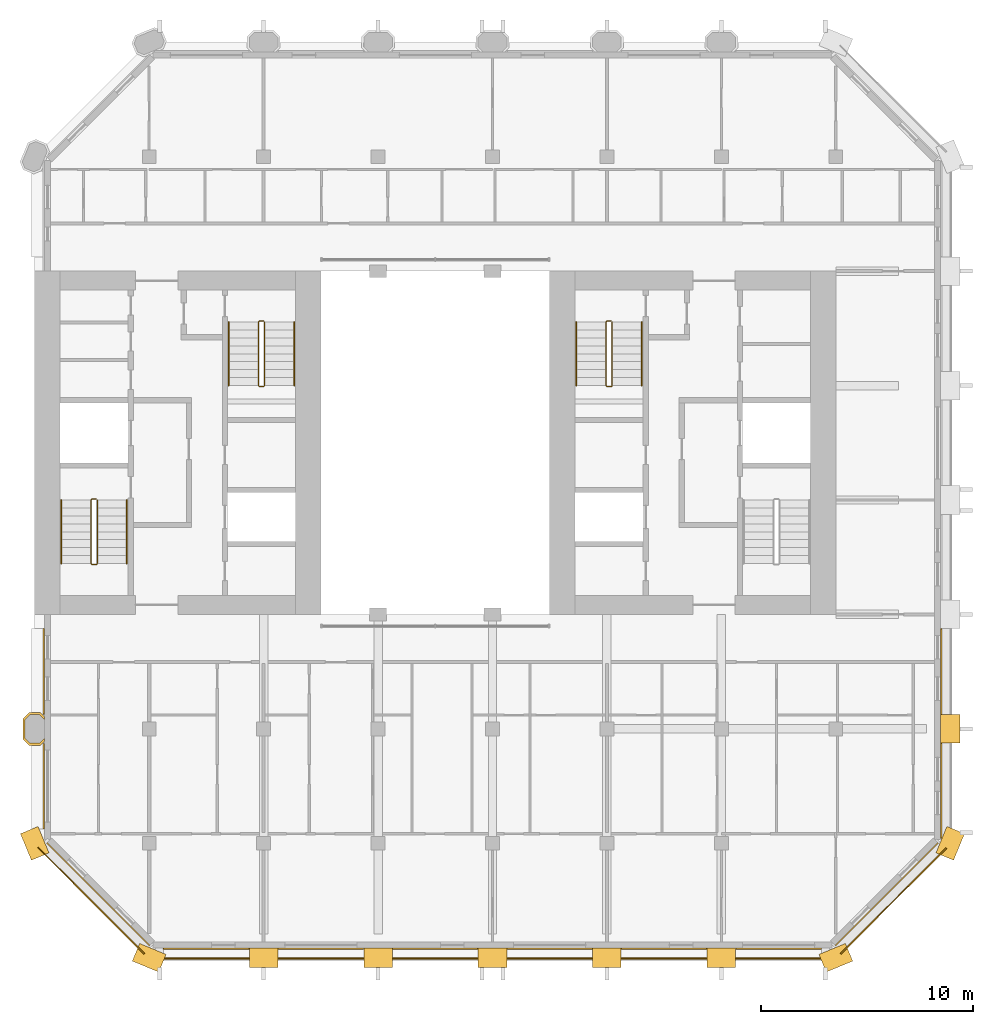
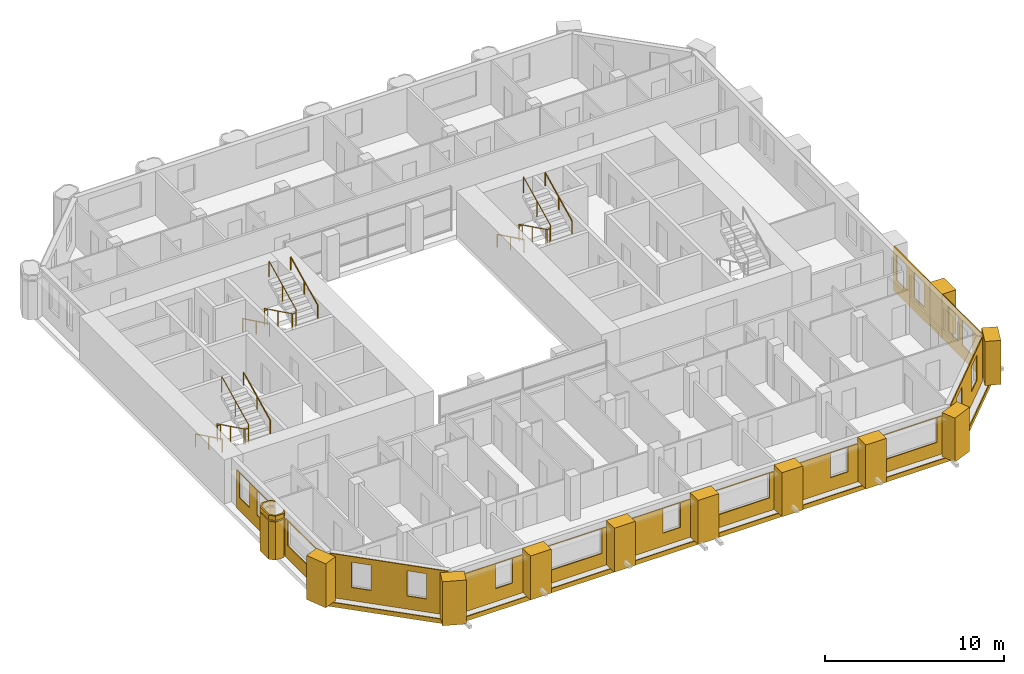
# One storey, part 13 of 14: 27 coverings, 9 railings.
"""IFC4 building model written with IfcOpenShell, lengths in metres."""

from ifc_helpers import new_model, si_unit, direction, frame, frame_2d, origin, origin_2d, place, context, subcontext, project, spatial, polyline, rectangle, circle, outline, extrude, material, layer, layer_set, type_object, element, save


model = new_model("IFC4")

# Units and contexts
model_context = context("Model", 3, precision=1e-05, world=origin(), true_north=direction((0.0, 1.0)))
body_context = subcontext(model_context, "Body", "Model", "MODEL_VIEW")
ifc_project = project(units=[si_unit("LENGTHUNIT", "METRE"), si_unit("AREAUNIT", "SQUARE_METRE"), si_unit("VOLUMEUNIT", "CUBIC_METRE"), si_unit("PLANEANGLEUNIT", "RADIAN"), si_unit("MASSUNIT", "GRAM", prefix="KILO")], contexts=[model_context])

# Site, building, storey
site_placement = place(None, origin())
site = spatial("IfcSite", under=ifc_project, at=site_placement, CompositionType="ELEMENT")
building_placement = place(site_placement, origin())
building = spatial("IfcBuilding", under=site, at=building_placement, Name="Tabaq Tower and Sports Hall", CompositionType="ELEMENT")
storey_placement = place(building_placement, frame((0.0, 0.0, 281.800048828125)))
storey = spatial("IfcBuildingStorey", under=building, at=storey_placement, Name="L69", CompositionType="ELEMENT", Elevation=281.800048828125)

# Coverings
ifc_material_1 = material(Name="Precast concrete C60/75", Category="concrete")
ifc_layer_1 = layer(ifc_material_1, 0.10009765625)
ifc_layer_set_1 = layer_set([ifc_layer_1], Name="Column cladding 100")
covering_type_1 = type_object("IfcCoveringType", Name="Column cladding 100", PredefinedType="CLADDING", material=ifc_layer_set_1)
covering_1_placement = place(storey_placement, origin())
element("IfcCovering", 1, at=covering_1_placement, inside=storey, type_object=covering_type_1, Name="Column cladding L69 PC-2C-R1", PredefinedType="CLADDING", context=body_context, shape_type="SweptSolid", body=[
    extrude(outline(polyline([(5.1337890625, 10.025390625), (4.850341796875, 10.30859375), (4.850341796875, 11.291259765625), (5.1337890625, 11.57470703125), (5.666259765625, 11.57470703125), (5.849609375, 11.391357421875), (5.849609375, 11.250732421875), (5.625244140625, 11.475341796875), (5.1748046875, 11.475341796875), (4.94970703125, 11.250244140625), (4.94970703125, 10.349853515625), (5.1748046875, 10.124755859375), (5.625244140625, 10.124755859375), (5.849609375, 10.349365234375), (5.849609375, 10.208740234375), (5.666259765625, 10.025390625), (5.1337890625, 10.025390625)])), origin(), (0.0, 0.0, 1.0), 2.599853515625),
])
covering_2_placement = place(storey_placement, frame((0.0, 0.0, 2.699951171875)))
element("IfcCovering", 2, at=covering_2_placement, inside=storey, type_object=covering_type_1, Name="Column cladding L69 PC-2C-R1 2", PredefinedType="CLADDING", context=body_context, shape_type="SweptSolid", body=[
    extrude(outline(polyline([(5.1337890625, 10.025390625), (4.850341796875, 10.30859375), (4.850341796875, 11.291259765625), (5.1337890625, 11.57470703125), (5.666259765625, 11.57470703125), (5.849609375, 11.391357421875), (5.849609375, 11.250732421875), (5.625244140625, 11.475341796875), (5.1748046875, 11.475341796875), (4.94970703125, 11.250244140625), (4.94970703125, 10.349853515625), (5.1748046875, 10.124755859375), (5.625244140625, 10.124755859375), (5.849609375, 10.349365234375), (5.849609375, 10.208740234375), (5.666259765625, 10.025390625), (5.1337890625, 10.025390625)])), origin(), (0.0, 0.0, 1.0), 0.300048828125),
])
ifc_material_2 = material(Name="Precast concrete C60/75", Category="concrete")
ifc_layer_2 = layer(ifc_material_2, 0.06005859375)
ifc_layer_set_2 = layer_set([ifc_layer_2], Name="Edge beam cladding 60")
covering_type_2 = type_object("IfcCoveringType", Name="Edge beam cladding 60", PredefinedType="CLADDING", material=ifc_layer_set_2)
covering_3_placement = place(storey_placement, frame((11.0986328125, -0.030029296875, -0.300048828125), z_axis=(0.0, 0.0, 1.0), x_axis=(1.0, 0.0, 0.0)))
element("IfcCovering", 3, at=covering_3_placement, inside=storey, type_object=covering_type_2, Name="Edge beam cladding L69 1", PredefinedType="CLADDING", context=body_context, shape_type="SweptSolid", body=[
    extrude(rectangle(XDim=31.802734375, YDim=0.06005859375, at=frame_2d((15.9013671875, 0.0))), origin(), (0.0, 0.0, 1.0), 0.300048828125),
])
covering_4_placement = place(storey_placement, frame((43.432373046875, 0.18994140625, -0.300048828125), z_axis=(0.0, 0.0, 1.0), x_axis=(0.707106781187, 0.707106781187, 0.0)))
element("IfcCovering", 4, at=covering_4_placement, inside=storey, type_object=covering_type_2, Name="Edge beam cladding L69 2", PredefinedType="CLADDING", context=body_context, shape_type="SweptSolid", body=[
    extrude(rectangle(XDim=7.03955078125, YDim=0.06005859375, at=frame_2d((3.519775390625, 0.0))), origin(), (0.0, 0.0, 1.0), 0.300048828125),
])
covering_5_placement = place(storey_placement, frame((5.5556640625, 5.201904296875, -0.300048828125), z_axis=(0.0, 0.0, 1.0), x_axis=(0.707106781187, -0.707106781187, 0.0)))
element("IfcCovering", 5, at=covering_5_placement, inside=storey, type_object=covering_type_2, Name="Edge beam cladding L69 5", PredefinedType="CLADDING", context=body_context, shape_type="SweptSolid", body=[
    extrude(rectangle(XDim=7.087890625, YDim=0.06005859375, at=frame_2d((3.5439453125, 0.0))), origin(), (0.0, 0.0, 1.0), 0.300048828125),
])
ifc_material_3 = material(Name="White precast concrete C60/75", Category="concrete")
covering_type_3 = type_object("IfcCoveringType", Name="Pier cladding hung 1350x900", PredefinedType="CLADDING", material=ifc_material_3)
for number, where, z_axis, x_axis, name in (
    (6, (5.1416015625, 6.023681640625, 0.0), (0.0, 0.0, 1.0), (0.382649923473, -0.923893411637, 0.0), "Hung pier cladding 1/1"),
    (7, (10.17626953125, 0.25830078125, 0.0), (0.0, 0.0, 1.0), (0.923893411637, -0.382649923473, 0.0), "Hung pier cladding 2/0"),
    (8, (15.52490234375, 0.0, 0.0), (0.0, 0.0, 1.0), (1.0, 0.0, 0.0), "Hung pier cladding 3/0"),
):
    element("IfcCovering", number, at=place(storey_placement, frame(where, z_axis=z_axis, x_axis=x_axis)), inside=storey, type_object=covering_type_3, Name=name, PredefinedType="CLADDING", context=body_context, shape_type="SweptSolid", body=[
        extrude(rectangle(XDim=1.35009765625, YDim=0.89990234375, at=frame_2d((0.675048828125, 0.0))), origin(), (0.0, 0.0, 1.0), 3.0),
    ])
covering_6_placement = place(storey_placement, frame((20.925048828125, 0.0, 0.0), z_axis=(0.0, 0.0, 1.0), x_axis=(1.0, 0.0, 0.0)))
element("IfcCovering", 9, at=covering_6_placement, inside=storey, type_object=covering_type_3, Name="Hung pier cladding 4/0", PredefinedType="CLADDING", context=body_context, shape_type="SweptSolid", body=[
    extrude(rectangle(XDim=1.349853515625, YDim=0.89990234375, at=frame_2d((0.6748046875, 0.0))), origin(), (0.0, 0.0, 1.0), 3.0),
])
covering_7_placement = place(storey_placement, frame((26.324951171875, 0.0, 0.0), z_axis=(0.0, 0.0, 1.0), x_axis=(1.0, 0.0, 0.0)))
element("IfcCovering", 10, at=covering_7_placement, inside=storey, type_object=covering_type_3, Name="Hung pier cladding 5/0", PredefinedType="CLADDING", context=body_context, shape_type="SweptSolid", body=[
    extrude(rectangle(XDim=1.35009765625, YDim=0.89990234375, at=frame_2d((0.675048828125, 0.0))), origin(), (0.0, 0.0, 1.0), 3.0),
])
covering_8_placement = place(storey_placement, frame((31.72509765625, 0.0, 0.0), z_axis=(0.0, 0.0, 1.0), x_axis=(1.0, 0.0, 0.0)))
element("IfcCovering", 11, at=covering_8_placement, inside=storey, type_object=covering_type_3, Name="Hung pier cladding 6/0", PredefinedType="CLADDING", context=body_context, shape_type="SweptSolid", body=[
    extrude(rectangle(XDim=1.349853515625, YDim=0.89990234375, at=frame_2d((0.6748046875, 0.0))), origin(), (0.0, 0.0, 1.0), 3.0),
])
for number, where, z_axis, x_axis, name in (
    (12, (37.125, 0.0, 0.0), (0.0, 0.0, 1.0), (1.0, 0.0, 0.0), "Hung pier cladding 7/0"),
    (13, (42.576416015625, -0.25830078125, 0.0), (0.0, 0.0, 1.0), (0.923893411637, 0.382649923473, 0.0), "Hung pier cladding 8/0"),
    (14, (48.341796875, 4.7763671875, 0.0), (0.0, 0.0, 1.0), (0.382649923473, 0.923893411637, 0.0), "Hung pier cladding 9/1"),
    (15, (48.60009765625, 10.125, 0.0), (0.0, 0.0, 1.0), (0.0, 1.0, 0.0), "Hung pier cladding 9/2"),
):
    element("IfcCovering", number, at=place(storey_placement, frame(where, z_axis=z_axis, x_axis=x_axis)), inside=storey, type_object=covering_type_3, Name=name, PredefinedType="CLADDING", context=body_context, shape_type="SweptSolid", body=[
        extrude(rectangle(XDim=1.35009765625, YDim=0.89990234375, at=frame_2d((0.675048828125, 0.0))), origin(), (0.0, 0.0, 1.0), 3.0),
    ])

# Railings
ifc_material_4 = material(Name="Stainless steel", Category="steel")
railing_type_1 = type_object("IfcRailingType", Name="Stair guard", PredefinedType="GUARDRAIL", material=ifc_material_4)
railing_1_placement = place(storey_placement, frame((8.300048828125, 21.64990234375, 0.0)))
element("IfcRailing", 16, at=railing_1_placement, inside=storey, type_object=railing_type_1, Name="L69 ST1 stair guard 1", PredefinedType="GUARDRAIL", context=body_context, shape_type="SweptSolid", body=[
    extrude(circle(Radius=0.02392578125, at=origin_2d()), frame((0.0, 0.0, 1.076171875), z_axis=(-1.0, 0.0, 0.0), x_axis=(0.0, -1.0, 0.0)), (0.0, 0.0, 1.0), 0.199951171875),
    extrude(circle(Radius=0.02392578125, at=origin_2d()), frame((-0.199951171875, 0.0, 1.076171875), z_axis=(-0.254733673405, -0.25349107012, 0.933195066962), x_axis=(0.705375805398, -0.708833529934, 0.0)), (0.0, 0.0, 1.0), 0.196533203125),
    extrude(circle(Radius=0.02392578125, at=origin_2d()), frame((-0.25, -0.0498046875, 1.25927734375), z_axis=(0.0, -0.898397823093, 0.439182594671), x_axis=(1.0, 0.0, 0.0)), (0.0, 0.0, 1.0), 3.33935546875),
    extrude(circle(Radius=0.02392578125, at=origin_2d()), frame((-0.25, -3.0498046875, 2.72607421875), z_axis=(0.707106781187, -0.707106781187, 0.0), x_axis=(0.707106781187, 0.707106781187, 0.0)), (0.0, 0.0, 1.0), 0.07080078125),
    extrude(circle(Radius=0.02392578125, at=origin_2d()), frame((-0.199951171875, -3.099853515625, 2.72607421875), z_axis=(1.0, 0.0, 0.0), x_axis=(0.0, 1.0, 0.0)), (0.0, 0.0, 1.0), 0.199951171875),
    extrude(circle(Radius=0.02392578125, at=origin_2d()), frame((0.0, -3.099853515625, 2.72607421875), z_axis=(0.254653276557, 0.254653276557, 0.932900539971), x_axis=(-0.707106781187, 0.707106781187, 0.0)), (0.0, 0.0, 1.0), 0.196533203125),
    extrude(circle(Radius=0.02392578125, at=origin_2d()), frame((0.050048828125, -3.0498046875, 2.9091796875), z_axis=(0.0, 0.898368975038, 0.439241601728), x_axis=(-1.0, 0.0, 0.0)), (0.0, 0.0, 1.0), 3.33935546875),
    extrude(circle(Radius=0.02099609375, at=origin_2d()), origin(), (0.0, 0.0, 1.0), 1.052001953125),
    extrude(circle(Radius=0.02099609375, at=origin_2d()), frame((-0.199951171875, 0.0, 0.0)), (0.0, 0.0, 1.0), 1.052001953125),
    extrude(circle(Radius=0.02099609375, at=origin_2d()), frame((-0.25, -0.0498046875, 0.183349609375)), (0.0, 0.0, 1.0), 1.052001953125),
    extrude(circle(Radius=0.02099609375, at=origin_2d()), frame((-0.25, -1.5498046875, 0.91650390625)), (0.0, 0.0, 1.0), 1.052001953125),
    extrude(circle(Radius=0.02099609375, at=origin_2d()), frame((-0.25, -3.0498046875, 1.64990234375)), (0.0, 0.0, 1.0), 1.052001953125),
    extrude(circle(Radius=0.02099609375, at=origin_2d()), frame((-0.199951171875, -3.099853515625, 1.64990234375)), (0.0, 0.0, 1.0), 1.052001953125),
    extrude(circle(Radius=0.02099609375, at=origin_2d()), frame((0.0, -3.099853515625, 1.64990234375)), (0.0, 0.0, 1.0), 1.052001953125),
    extrude(circle(Radius=0.02099609375, at=origin_2d()), frame((0.050048828125, -3.0498046875, 1.833251953125)), (0.0, 0.0, 1.0), 1.052001953125),
    extrude(circle(Radius=0.02099609375, at=origin_2d()), frame((0.050048828125, -1.5498046875, 2.566650390625)), (0.0, 0.0, 1.0), 1.052001953125),
    extrude(circle(Radius=0.02099609375, at=origin_2d()), frame((0.050048828125, -0.0498046875, 3.300048828125)), (0.0, 0.0, 1.0), 1.052001953125),
])
railing_2_placement = place(storey_placement, frame((16.199951171875, 30.050048828125, 0.0)))
element("IfcRailing", 17, at=railing_2_placement, inside=storey, type_object=railing_type_1, Name="L69 ST2 stair guard 1", PredefinedType="GUARDRAIL", context=body_context, shape_type="SweptSolid", body=[
    extrude(circle(Radius=0.02392578125, at=origin_2d()), frame((0.0, 0.0, 1.076171875), z_axis=(-1.0, 0.0, 0.0), x_axis=(0.0, -1.0, 0.0)), (0.0, 0.0, 1.0), 0.199951171875),
    extrude(circle(Radius=0.02392578125, at=origin_2d()), frame((-0.199951171875, 0.0, 1.076171875), z_axis=(-0.254653276557, -0.254653276557, 0.932900539971), x_axis=(0.707106781187, -0.707106781187, 0.0)), (0.0, 0.0, 1.0), 0.196533203125),
    extrude(circle(Radius=0.02392578125, at=origin_2d()), frame((-0.25, -0.050048828125, 1.25927734375), z_axis=(0.0, -0.898397823093, 0.439182594671), x_axis=(1.0, 0.0, 0.0)), (0.0, 0.0, 1.0), 3.33935546875),
    extrude(circle(Radius=0.02392578125, at=origin_2d()), frame((-0.25, -3.050048828125, 2.72607421875), z_axis=(0.707106781187, -0.707106781187, 0.0), x_axis=(0.707106781187, 0.707106781187, 0.0)), (0.0, 0.0, 1.0), 0.07080078125),
    extrude(circle(Radius=0.02392578125, at=origin_2d()), frame((-0.199951171875, -3.10009765625, 2.72607421875), z_axis=(1.0, 0.0, 0.0), x_axis=(0.0, 1.0, 0.0)), (0.0, 0.0, 1.0), 0.199951171875),
    extrude(circle(Radius=0.02392578125, at=origin_2d()), frame((0.0, -3.10009765625, 2.72607421875), z_axis=(0.254653276557, 0.254653276557, 0.932900539971), x_axis=(-0.707106781187, 0.707106781187, 0.0)), (0.0, 0.0, 1.0), 0.196533203125),
    extrude(circle(Radius=0.02392578125, at=origin_2d()), frame((0.050048828125, -3.050048828125, 2.9091796875), z_axis=(0.0, 0.898368975038, 0.439241601728), x_axis=(-1.0, 0.0, 0.0)), (0.0, 0.0, 1.0), 3.33935546875),
    extrude(circle(Radius=0.02099609375, at=origin_2d()), origin(), (0.0, 0.0, 1.0), 1.052001953125),
    extrude(circle(Radius=0.02099609375, at=origin_2d()), frame((-0.199951171875, 0.0, 0.0)), (0.0, 0.0, 1.0), 1.052001953125),
    extrude(circle(Radius=0.02099609375, at=origin_2d()), frame((-0.25, -0.050048828125, 0.183349609375)), (0.0, 0.0, 1.0), 1.052001953125),
    extrude(circle(Radius=0.02099609375, at=origin_2d()), frame((-0.25, -1.550048828125, 0.91650390625)), (0.0, 0.0, 1.0), 1.052001953125),
    extrude(circle(Radius=0.02099609375, at=origin_2d()), frame((-0.25, -3.050048828125, 1.64990234375)), (0.0, 0.0, 1.0), 1.052001953125),
    extrude(circle(Radius=0.02099609375, at=origin_2d()), frame((-0.199951171875, -3.10009765625, 1.64990234375)), (0.0, 0.0, 1.0), 1.052001953125),
    extrude(circle(Radius=0.02099609375, at=origin_2d()), frame((0.0, -3.10009765625, 1.64990234375)), (0.0, 0.0, 1.0), 1.052001953125),
    extrude(circle(Radius=0.02099609375, at=origin_2d()), frame((0.050048828125, -3.050048828125, 1.833251953125)), (0.0, 0.0, 1.0), 1.052001953125),
    extrude(circle(Radius=0.02099609375, at=origin_2d()), frame((0.050048828125, -1.550048828125, 2.566650390625)), (0.0, 0.0, 1.0), 1.052001953125),
    extrude(circle(Radius=0.02099609375, at=origin_2d()), frame((0.050048828125, -0.050048828125, 3.300048828125)), (0.0, 0.0, 1.0), 1.052001953125),
])
railing_3_placement = place(storey_placement, frame((32.60009765625, 30.050048828125, 0.0)))
element("IfcRailing", 18, at=railing_3_placement, inside=storey, type_object=railing_type_1, Name="L69 ST4 stair guard 1", PredefinedType="GUARDRAIL", context=body_context, shape_type="SweptSolid", body=[
    extrude(circle(Radius=0.02392578125, at=origin_2d()), frame((0.0, 0.0, 1.076171875), z_axis=(-1.0, 0.0, 0.0), x_axis=(0.0, -1.0, 0.0)), (0.0, 0.0, 1.0), 0.2001953125),
    extrude(circle(Radius=0.02392578125, at=origin_2d()), frame((-0.2001953125, 0.0, 1.076171875), z_axis=(-0.25349107012, -0.254733673405, 0.933195066962), x_axis=(0.708833529934, -0.705375805398, 0.0)), (0.0, 0.0, 1.0), 0.196533203125),
    extrude(circle(Radius=0.02392578125, at=origin_2d()), frame((-0.25, -0.050048828125, 1.25927734375), z_axis=(0.0, -0.898397823093, 0.439182594671), x_axis=(1.0, 0.0, 0.0)), (0.0, 0.0, 1.0), 3.33935546875),
    extrude(circle(Radius=0.02392578125, at=origin_2d()), frame((-0.25, -3.050048828125, 2.72607421875), z_axis=(0.705375805398, -0.708833529934, 0.0), x_axis=(0.708833529934, 0.705375805398, 0.0)), (0.0, 0.0, 1.0), 0.070556640625),
    extrude(circle(Radius=0.02392578125, at=origin_2d()), frame((-0.2001953125, -3.10009765625, 2.72607421875), z_axis=(1.0, 0.0, 0.0), x_axis=(0.0, 1.0, 0.0)), (0.0, 0.0, 1.0), 0.2001953125),
    extrude(circle(Radius=0.02392578125, at=origin_2d()), frame((0.0, -3.10009765625, 2.72607421875), z_axis=(0.25349107012, 0.254733673405, 0.933195066962), x_axis=(-0.708833529934, 0.705375805398, 0.0)), (0.0, 0.0, 1.0), 0.196533203125),
    extrude(circle(Radius=0.02392578125, at=origin_2d()), frame((0.0498046875, -3.050048828125, 2.9091796875), z_axis=(0.0, 0.898368975038, 0.439241601728), x_axis=(-1.0, 0.0, 0.0)), (0.0, 0.0, 1.0), 3.33935546875),
    extrude(circle(Radius=0.02099609375, at=origin_2d()), origin(), (0.0, 0.0, 1.0), 1.052001953125),
    extrude(circle(Radius=0.02099609375, at=origin_2d()), frame((-0.2001953125, 0.0, 0.0)), (0.0, 0.0, 1.0), 1.052001953125),
    extrude(circle(Radius=0.02099609375, at=origin_2d()), frame((-0.25, -0.050048828125, 0.183349609375)), (0.0, 0.0, 1.0), 1.052001953125),
    extrude(circle(Radius=0.02099609375, at=origin_2d()), frame((-0.25, -1.550048828125, 0.91650390625)), (0.0, 0.0, 1.0), 1.052001953125),
    extrude(circle(Radius=0.02099609375, at=origin_2d()), frame((-0.25, -3.050048828125, 1.64990234375)), (0.0, 0.0, 1.0), 1.052001953125),
    extrude(circle(Radius=0.02099609375, at=origin_2d()), frame((-0.2001953125, -3.10009765625, 1.64990234375)), (0.0, 0.0, 1.0), 1.052001953125),
    extrude(circle(Radius=0.02099609375, at=origin_2d()), frame((0.0, -3.10009765625, 1.64990234375)), (0.0, 0.0, 1.0), 1.052001953125),
    extrude(circle(Radius=0.02099609375, at=origin_2d()), frame((0.0498046875, -3.050048828125, 1.833251953125)), (0.0, 0.0, 1.0), 1.052001953125),
    extrude(circle(Radius=0.02099609375, at=origin_2d()), frame((0.0498046875, -1.550048828125, 2.566650390625)), (0.0, 0.0, 1.0), 1.052001953125),
    extrude(circle(Radius=0.02099609375, at=origin_2d()), frame((0.0498046875, -0.050048828125, 3.300048828125)), (0.0, 0.0, 1.0), 1.052001953125),
])
ifc_material_5 = material(Name="Stainless steel", Category="steel")
railing_type_2 = type_object("IfcRailingType", Name="Stair handrail", PredefinedType="HANDRAIL", material=ifc_material_5)
railing_4_placement = place(storey_placement, frame((6.64990234375, 21.60009765625, 0.183349609375)))
element("IfcRailing", 19, at=railing_4_placement, inside=storey, type_object=railing_type_2, Name="L69 ST1 stair handrail 1", PredefinedType="HANDRAIL", context=body_context, shape_type="SweptSolid", body=[
    extrude(circle(Radius=0.02392578125, at=origin_2d()), frame((0.0, 0.0, 0.8759765625), z_axis=(0.0, -0.898397823093, 0.439182594671), x_axis=(1.0, 0.0, 0.0)), (0.0, 0.0, 1.0), 3.33935546875),
    extrude(circle(Radius=0.02099609375, at=origin_2d()), origin(), (0.0, 0.0, 1.0), 0.851806640625),
    extrude(circle(Radius=0.02099609375, at=origin_2d()), frame((0.0, -1.5, 0.7333984375)), (0.0, 0.0, 1.0), 0.851806640625),
    extrude(circle(Radius=0.02099609375, at=origin_2d()), frame((0.0, -3.0, 1.466552734375)), (0.0, 0.0, 1.0), 0.851806640625),
])
railing_5_placement = place(storey_placement, frame((9.75, 18.60009765625, 1.833251953125)))
element("IfcRailing", 20, at=railing_5_placement, inside=storey, type_object=railing_type_2, Name="L69 ST1 stair handrail 2", PredefinedType="HANDRAIL", context=body_context, shape_type="SweptSolid", body=[
    extrude(circle(Radius=0.02392578125, at=origin_2d()), frame((0.0, 0.0, 0.8759765625), z_axis=(0.0, 0.898368975038, 0.439241601728), x_axis=(-1.0, 0.0, 0.0)), (0.0, 0.0, 1.0), 3.33935546875),
    extrude(circle(Radius=0.02099609375, at=origin_2d()), origin(), (0.0, 0.0, 1.0), 0.851806640625),
    extrude(circle(Radius=0.02099609375, at=origin_2d()), frame((0.0, 1.5, 0.7333984375)), (0.0, 0.0, 1.0), 0.851806640625),
    extrude(circle(Radius=0.02099609375, at=origin_2d()), frame((0.0, 3.0, 1.466796875)), (0.0, 0.0, 1.0), 0.851806640625),
])
railing_6_placement = place(storey_placement, frame((14.550048828125, 30.0, 0.183349609375)))
element("IfcRailing", 21, at=railing_6_placement, inside=storey, type_object=railing_type_2, Name="L69 ST2 stair handrail 1", PredefinedType="HANDRAIL", context=body_context, shape_type="SweptSolid", body=[
    extrude(circle(Radius=0.02392578125, at=origin_2d()), frame((0.0, 0.0, 0.8759765625), z_axis=(0.0, -0.898397823093, 0.439182594671), x_axis=(1.0, 0.0, 0.0)), (0.0, 0.0, 1.0), 3.33935546875),
    extrude(circle(Radius=0.02099609375, at=origin_2d()), origin(), (0.0, 0.0, 1.0), 0.851806640625),
    extrude(circle(Radius=0.02099609375, at=origin_2d()), frame((0.0, -1.5, 0.7333984375)), (0.0, 0.0, 1.0), 0.851806640625),
    extrude(circle(Radius=0.02099609375, at=origin_2d()), frame((0.0, -3.0, 1.466552734375)), (0.0, 0.0, 1.0), 0.851806640625),
])
railing_7_placement = place(storey_placement, frame((17.64990234375, 27.0, 1.833251953125)))
element("IfcRailing", 22, at=railing_7_placement, inside=storey, type_object=railing_type_2, Name="L69 ST2 stair handrail 2", PredefinedType="HANDRAIL", context=body_context, shape_type="SweptSolid", body=[
    extrude(circle(Radius=0.02392578125, at=origin_2d()), frame((0.0, 0.0, 0.8759765625), z_axis=(0.0, 0.898368975038, 0.439241601728), x_axis=(-1.0, 0.0, 0.0)), (0.0, 0.0, 1.0), 3.33935546875),
    extrude(circle(Radius=0.02099609375, at=origin_2d()), origin(), (0.0, 0.0, 1.0), 0.851806640625),
    extrude(circle(Radius=0.02099609375, at=origin_2d()), frame((0.0, 1.5, 0.7333984375)), (0.0, 0.0, 1.0), 0.851806640625),
    extrude(circle(Radius=0.02099609375, at=origin_2d()), frame((0.0, 3.0, 1.466796875)), (0.0, 0.0, 1.0), 0.851806640625),
])
railing_8_placement = place(storey_placement, frame((30.949951171875, 30.0, 0.183349609375)))
element("IfcRailing", 23, at=railing_8_placement, inside=storey, type_object=railing_type_2, Name="L69 ST4 stair handrail 1", PredefinedType="HANDRAIL", context=body_context, shape_type="SweptSolid", body=[
    extrude(circle(Radius=0.02392578125, at=origin_2d()), frame((0.0, 0.0, 0.8759765625), z_axis=(0.0, -0.898397823093, 0.439182594671), x_axis=(1.0, 0.0, 0.0)), (0.0, 0.0, 1.0), 3.33935546875),
    extrude(circle(Radius=0.02099609375, at=origin_2d()), origin(), (0.0, 0.0, 1.0), 0.851806640625),
    extrude(circle(Radius=0.02099609375, at=origin_2d()), frame((0.0, -1.5, 0.7333984375)), (0.0, 0.0, 1.0), 0.851806640625),
    extrude(circle(Radius=0.02099609375, at=origin_2d()), frame((0.0, -3.0, 1.466552734375)), (0.0, 0.0, 1.0), 0.851806640625),
])
railing_9_placement = place(storey_placement, frame((34.050048828125, 27.0, 1.833251953125)))
element("IfcRailing", 24, at=railing_9_placement, inside=storey, type_object=railing_type_2, Name="L69 ST4 stair handrail 2", PredefinedType="HANDRAIL", context=body_context, shape_type="SweptSolid", body=[
    extrude(circle(Radius=0.02392578125, at=origin_2d()), frame((0.0, 0.0, 0.8759765625), z_axis=(0.0, 0.898368975038, 0.439241601728), x_axis=(-1.0, 0.0, 0.0)), (0.0, 0.0, 1.0), 3.33935546875),
    extrude(circle(Radius=0.02099609375, at=origin_2d()), origin(), (0.0, 0.0, 1.0), 0.851806640625),
    extrude(circle(Radius=0.02099609375, at=origin_2d()), frame((0.0, 1.5, 0.7333984375)), (0.0, 0.0, 1.0), 0.851806640625),
    extrude(circle(Radius=0.02099609375, at=origin_2d()), frame((0.0, 3.0, 1.466796875)), (0.0, 0.0, 1.0), 0.851806640625),
])

# Coverings
ifc_material_6 = material(Name="Precast concrete C60/75", Category="concrete")
ifc_layer_3 = layer(ifc_material_6, 0.06005859375)
ifc_layer_set_3 = layer_set([ifc_layer_3], Name="White precast cladding panel 60 C60/75")
covering_type_4 = type_object("IfcCoveringType", Name="White precast cladding panel 60 C60/75", PredefinedType="CLADDING", material=ifc_layer_set_3)
covering_9_placement = place(storey_placement, frame((11.465087890625, 0.419921875, 0.0), z_axis=(0.0, 0.0, 1.0), x_axis=(1.0, 0.0, 0.0)))
element("IfcCovering", 25, at=covering_9_placement, inside=storey, type_object=covering_type_4, Name="White precast cladding panel L69 wall00", PredefinedType="CLADDING", context=body_context, shape_type="SweptSolid", body=[
    extrude(outline(polyline([(0.0, 0.0), (4.0498046875, 0.0), (4.0498046875, 2.58984375), (0.0, 2.58984375), (0.0, 0.0)]), holes=[polyline([(3.39501953125, 0.889892578125), (2.27490234375, 0.889892578125), (2.27490234375, 2.56005859375), (3.39501953125, 2.56005859375), (3.39501953125, 0.889892578125)])]), frame((0.0, 0.030029296875, 0.0), z_axis=(0.0, -1.0, 0.0), x_axis=(1.0, 0.0, 0.0)), (0.0, 0.0, 1.0), 0.06005859375),
])
covering_10_placement = place(storey_placement, frame((16.885009765625, 0.419921875, 0.0), z_axis=(0.0, 0.0, 1.0), x_axis=(1.0, 0.0, 0.0)))
element("IfcCovering", 26, at=covering_10_placement, inside=storey, type_object=covering_type_4, Name="White precast cladding panel L69 wall00 2", PredefinedType="CLADDING", context=body_context, shape_type="SweptSolid", body=[
    extrude(outline(polyline([(0.0, 0.0), (4.030029296875, 0.0), (4.030029296875, 2.58984375), (0.0, 2.58984375), (0.0, 0.0)]), holes=[polyline([(3.72509765625, 0.889892578125), (0.304931640625, 0.889892578125), (0.304931640625, 2.56005859375), (3.72509765625, 2.56005859375), (3.72509765625, 0.889892578125)])]), frame((0.0, 0.030029296875, 0.0), z_axis=(0.0, -1.0, 0.0), x_axis=(1.0, 0.0, 0.0)), (0.0, 0.0, 1.0), 0.06005859375),
])
covering_11_placement = place(storey_placement, frame((22.284912109375, 0.419921875, 0.0), z_axis=(0.0, 0.0, 1.0), x_axis=(1.0, 0.0, 0.0)))
element("IfcCovering", 27, at=covering_11_placement, inside=storey, type_object=covering_type_4, Name="White precast cladding panel L69 wall00 3", PredefinedType="CLADDING", context=body_context, shape_type="SweptSolid", body=[
    extrude(outline(polyline([(0.0, 0.0), (4.030029296875, 0.0), (4.030029296875, 2.58984375), (0.0, 2.58984375), (0.0, 0.0)]), holes=[polyline([(3.375, 0.889892578125), (2.2548828125, 0.889892578125), (2.2548828125, 2.56005859375), (3.375, 2.56005859375), (3.375, 0.889892578125)])]), frame((0.0, 0.030029296875, 0.0), z_axis=(0.0, -1.0, 0.0), x_axis=(1.0, 0.0, 0.0)), (0.0, 0.0, 1.0), 0.06005859375),
])
covering_12_placement = place(storey_placement, frame((27.68505859375, 0.419921875, 0.0), z_axis=(0.0, 0.0, 1.0), x_axis=(1.0, 0.0, 0.0)))
element("IfcCovering", 28, at=covering_12_placement, inside=storey, type_object=covering_type_4, Name="White precast cladding panel L69 wall00 4", PredefinedType="CLADDING", context=body_context, shape_type="SweptSolid", body=[
    extrude(outline(polyline([(0.0, 0.0), (4.030029296875, 0.0), (4.030029296875, 2.58984375), (0.0, 2.58984375), (0.0, 0.0)]), holes=[polyline([(3.72509765625, 0.889892578125), (0.304931640625, 0.889892578125), (0.304931640625, 2.56005859375), (3.72509765625, 2.56005859375), (3.72509765625, 0.889892578125)])]), frame((0.0, 0.030029296875, 0.0), z_axis=(0.0, -1.0, 0.0), x_axis=(1.0, 0.0, 0.0)), (0.0, 0.0, 1.0), 0.06005859375),
])
covering_13_placement = place(storey_placement, frame((33.0849609375, 0.419921875, 0.0), z_axis=(0.0, 0.0, 1.0), x_axis=(1.0, 0.0, 0.0)))
element("IfcCovering", 29, at=covering_13_placement, inside=storey, type_object=covering_type_4, Name="White precast cladding panel L69 wall00 5", PredefinedType="CLADDING", context=body_context, shape_type="SweptSolid", body=[
    extrude(outline(polyline([(0.0, 0.0), (4.030029296875, 0.0), (4.030029296875, 2.58984375), (0.0, 2.58984375), (0.0, 0.0)]), holes=[polyline([(3.375, 0.889892578125), (2.2548828125, 0.889892578125), (2.2548828125, 2.56005859375), (3.375, 2.56005859375), (3.375, 0.889892578125)])]), frame((0.0, 0.030029296875, 0.0), z_axis=(0.0, -1.0, 0.0), x_axis=(1.0, 0.0, 0.0)), (0.0, 0.0, 1.0), 0.06005859375),
])
covering_14_placement = place(storey_placement, frame((38.485107421875, 0.419921875, 0.0), z_axis=(0.0, 0.0, 1.0), x_axis=(1.0, 0.0, 0.0)))
element("IfcCovering", 30, at=covering_14_placement, inside=storey, type_object=covering_type_4, Name="White precast cladding panel L69 wall00 6", PredefinedType="CLADDING", context=body_context, shape_type="SweptSolid", body=[
    extrude(outline(polyline([(0.0, 0.0), (4.0498046875, 0.0), (4.0498046875, 2.58984375), (0.0, 2.58984375), (0.0, 0.0)]), holes=[polyline([(3.72509765625, 0.889892578125), (0.304931640625, 0.889892578125), (0.304931640625, 2.56005859375), (3.72509765625, 2.56005859375), (3.72509765625, 0.889892578125)])]), frame((0.0, 0.030029296875, 0.0), z_axis=(0.0, -1.0, 0.0), x_axis=(1.0, 0.0, 0.0)), (0.0, 0.0, 1.0), 0.06005859375),
])
covering_15_placement = place(storey_placement, frame((43.177734375, 0.57177734375, 0.0), z_axis=(0.0, 0.0, 1.0), x_axis=(0.707106781187, 0.707106781187, 0.0)))
element("IfcCovering", 31, at=covering_15_placement, inside=storey, type_object=covering_type_4, Name="White precast cladding panel L69 wall01", PredefinedType="CLADDING", context=body_context, shape_type="SweptSolid", body=[
    extrude(outline(polyline([(0.0, 0.0), (6.85986328125, 0.0), (6.85986328125, 3.0), (0.0, 3.0), (0.0, 0.0)]), holes=[polyline([(1.269775390625, 2.60986328125), (2.389892578125, 2.60986328125), (2.389892578125, 0.889892578125), (1.269775390625, 0.889892578125), (1.269775390625, 2.60986328125)]), polyline([(4.4697265625, 2.60986328125), (5.58984375, 2.60986328125), (5.58984375, 0.889892578125), (4.4697265625, 0.889892578125), (4.4697265625, 2.60986328125)])]), frame((0.0, 0.030029296875, 0.0), z_axis=(0.0, -1.0, 0.0), x_axis=(1.0, 0.0, 0.0)), (0.0, 0.0, 1.0), 0.06005859375),
])
covering_16_placement = place(storey_placement, frame((48.179931640625, 5.64306640625, 0.0), z_axis=(0.0, 0.0, 1.0), x_axis=(0.0, 1.0, 0.0)))
element("IfcCovering", 32, at=covering_16_placement, inside=storey, type_object=covering_type_4, Name="White precast cladding panel L69 wall02", PredefinedType="CLADDING", context=body_context, shape_type="SweptSolid", body=[
    extrude(outline(polyline([(0.0, 0.0), (4.471923828125, 0.0), (4.471923828125, 3.0), (0.0, 3.0), (0.0, 0.0)]), holes=[polyline([(1.096923828125, 2.60986328125), (2.216796875, 2.60986328125), (2.216796875, 0.889892578125), (1.096923828125, 0.889892578125), (1.096923828125, 2.60986328125)]), polyline([(2.69677734375, 2.60986328125), (3.81689453125, 2.60986328125), (3.81689453125, 0.889892578125), (2.69677734375, 0.889892578125), (2.69677734375, 2.60986328125)])]), frame((0.0, 0.030029296875, 0.0), z_axis=(0.0, -1.0, 0.0), x_axis=(1.0, 0.0, 0.0)), (0.0, 0.0, 1.0), 0.06005859375),
])
covering_17_placement = place(storey_placement, frame((48.179931640625, 11.485107421875, 0.0), z_axis=(0.0, 0.0, 1.0), x_axis=(0.0, 1.0, 0.0)))
element("IfcCovering", 33, at=covering_17_placement, inside=storey, type_object=covering_type_4, Name="White precast cladding panel L69 wall02 2", PredefinedType="CLADDING", context=body_context, shape_type="SweptSolid", body=[
    extrude(outline(polyline([(0.0, 0.0), (4.02978515625, 0.0), (4.02978515625, 3.0), (0.0, 3.0), (0.0, 0.0)]), holes=[polyline([(0.655029296875, 2.60986328125), (1.77490234375, 2.60986328125), (1.77490234375, 0.889892578125), (0.655029296875, 0.889892578125), (0.655029296875, 2.60986328125)]), polyline([(2.60498046875, 2.60986328125), (3.72509765625, 2.60986328125), (3.72509765625, 0.889892578125), (2.60498046875, 0.889892578125), (2.60498046875, 2.60986328125)])]), frame((0.0, 0.030029296875, 0.0), z_axis=(0.0, -1.0, 0.0), x_axis=(1.0, 0.0, 0.0)), (0.0, 0.0, 1.0), 0.06005859375),
])
covering_18_placement = place(storey_placement, frame((5.820068359375, 15.534912109375, 0.0), z_axis=(0.0, 0.0, 1.0), x_axis=(0.0, -1.0, 0.0)))
element("IfcCovering", 34, at=covering_18_placement, inside=storey, type_object=covering_type_4, Name="White precast cladding panel L69 wall06-1", PredefinedType="CLADDING", context=body_context, shape_type="SweptSolid", body=[
    extrude(outline(polyline([(0.0, 0.0), (4.0498046875, 0.0), (4.0498046875, 2.58984375), (0.0, 2.58984375), (0.0, 0.0)]), holes=[polyline([(0.324951171875, 0.889892578125), (0.324951171875, 2.56005859375), (1.445068359375, 2.56005859375), (1.445068359375, 0.889892578125), (0.324951171875, 0.889892578125)]), polyline([(2.27490234375, 0.889892578125), (2.27490234375, 2.56005859375), (3.39501953125, 2.56005859375), (3.39501953125, 0.889892578125), (2.27490234375, 0.889892578125)])]), frame((0.0, 0.030029296875, 0.0), z_axis=(0.0, -1.0, 0.0), x_axis=(1.0, 0.0, 0.0)), (0.0, 0.0, 1.0), 0.06005859375),
])
covering_19_placement = place(storey_placement, frame((5.820068359375, 10.114990234375, 0.0), z_axis=(0.0, 0.0, 1.0), x_axis=(0.0, -1.0, 0.0)))
element("IfcCovering", 35, at=covering_19_placement, inside=storey, type_object=covering_type_4, Name="White precast cladding panel L69 wall06-1 2", PredefinedType="CLADDING", context=body_context, shape_type="SweptSolid", body=[
    extrude(outline(polyline([(0.0, 0.0), (4.050048828125, 0.0), (4.050048828125, 2.58984375), (0.0, 2.58984375), (0.0, 0.0)]), holes=[polyline([(3.72509765625, 0.889892578125), (0.304931640625, 0.889892578125), (0.304931640625, 2.56005859375), (3.72509765625, 2.56005859375), (3.72509765625, 0.889892578125)])]), frame((0.0, 0.030029296875, 0.0), z_axis=(0.0, -1.0, 0.0), x_axis=(1.0, 0.0, 0.0)), (0.0, 0.0, 1.0), 0.06005859375),
])
covering_20_placement = place(storey_placement, frame((5.9716796875, 5.42236328125, 0.0), z_axis=(0.0, 0.0, 1.0), x_axis=(0.707106781187, -0.707106781187, 0.0)))
element("IfcCovering", 36, at=covering_20_placement, inside=storey, type_object=covering_type_4, Name="White precast cladding panel L69 wall07", PredefinedType="CLADDING", context=body_context, shape_type="SweptSolid", body=[
    extrude(outline(polyline([(0.0, 0.0), (6.85986328125, 0.0), (6.85986328125, 3.0), (0.0, 3.0), (0.0, 0.0)]), holes=[polyline([(1.269775390625, 2.60986328125), (2.389892578125, 2.60986328125), (2.389892578125, 0.889892578125), (1.269775390625, 0.889892578125), (1.269775390625, 2.60986328125)]), polyline([(4.4697265625, 2.60986328125), (5.58984375, 2.60986328125), (5.58984375, 0.889892578125), (4.4697265625, 0.889892578125), (4.4697265625, 2.60986328125)])]), frame((0.0, 0.030029296875, 0.0), z_axis=(0.0, -1.0, 0.0), x_axis=(1.0, 0.0, 0.0)), (0.0, 0.0, 1.0), 0.06005859375),
])

save(model, "model.ifc")
